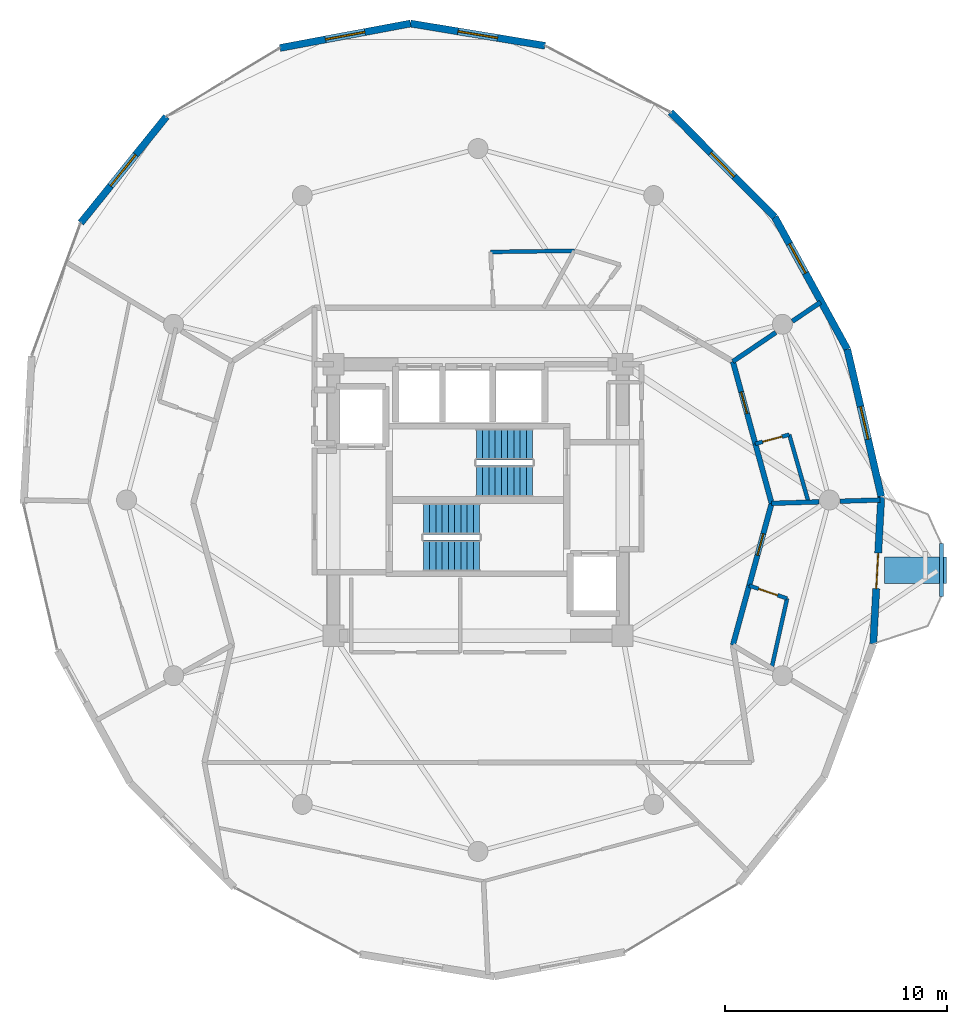
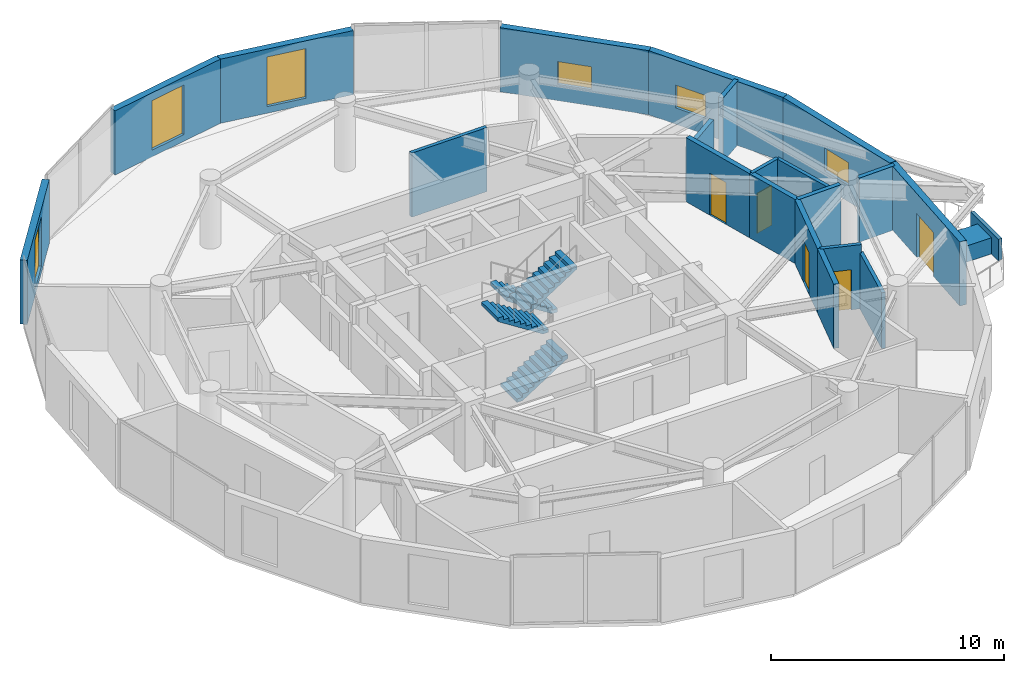
# One storey, part 19 of 21: 21 walls, 6 windows, 5 doors, 4 stair flights, 1 discrete accessory, 11 openings, 2 elements without a shape of their own.
"""IFC4 building model written with IfcOpenShell, lengths in metres."""

from ifc_helpers import new_model, si_unit, direction, frame, frame_2d, origin, origin_2d, place, context, subcontext, project, spatial, polyline, rectangle, outline, extrude, material, layer, layer_set, type_object, element, fill, aggregate, save


model = new_model("IFC4")

# Units and contexts
model_context = context("Model", 3, precision=1e-05, world=origin(), true_north=direction((0.0, 1.0)))
body_context = subcontext(model_context, "Body", "Model", "MODEL_VIEW")
ifc_project = project(units=[si_unit("LENGTHUNIT", "METRE"), si_unit("AREAUNIT", "SQUARE_METRE"), si_unit("VOLUMEUNIT", "CUBIC_METRE"), si_unit("PLANEANGLEUNIT", "RADIAN"), si_unit("MASSUNIT", "GRAM", prefix="KILO")], contexts=[model_context])

# Site, building, storey
site_placement = place(None, origin())
site = spatial("IfcSite", under=ifc_project, at=site_placement, CompositionType="ELEMENT")
building_placement = place(site_placement, origin())
building = spatial("IfcBuilding", under=site, at=building_placement, Name="Solvirekh Grand Hotel", CompositionType="ELEMENT")
storey_placement = place(building_placement, frame((0.0, 0.0, 216.39990234375)))
storey = spatial("IfcBuildingStorey", under=building, at=storey_placement, Name="L56", CompositionType="ELEMENT", Elevation=216.39990234375)

# Wall, opening, door
ifc_material_1 = material(Name="Precast concrete C45/55", Category="concrete")
ifc_layer_1 = layer(ifc_material_1, 0.320068359375)
ifc_layer_set_1 = layer_set([ifc_layer_1], Name="Precast concrete C45/55")
wall_type_1 = type_object("IfcWallType", Name="ExtLobbyWall_RC320", PredefinedType="SOLIDWALL", material=ifc_layer_set_1)
wall_1_placement = place(storey_placement, frame((18.12890625, 0.160888671875, 0.0), z_axis=(0.0, 0.0, 1.0), x_axis=(-0.054369799723, -0.998520868524, 0.0)))
wall_1 = element("IfcWall", 1, at=wall_1_placement, inside=storey, type_object=wall_type_1, Name="L56 exterior structural wall chord 4", PredefinedType="SOLIDWALL", context=body_context, shape_type="SweptSolid", body=[
    extrude(rectangle(XDim=6.63671875, YDim=0.320068359375, at=frame_2d((3.318359375, 0.0))), origin(), (0.0, 0.0, 1.0), 3.360107421875),
])
opening_1_placement = place(wall_1_placement, frame((2.550048828125, 0.0, 0.0)))
opening_1 = element("IfcOpeningElement", 2, at=opening_1_placement, cuts=wall_1, Name="Opening D04", PredefinedType="OPENING", context=body_context, shape_type="SweptSolid", body=[
    extrude(rectangle(XDim=1.60009765625, YDim=2.300048828125, at=frame_2d((0.800048828125, 1.14990234375))), frame((0.0, 0.169921875, 0.0), z_axis=(0.0, -1.0, 0.0), x_axis=(1.0, 0.0, 0.0)), (0.0, 0.0, 1.0), 0.340087890625),
])
ifc_material_2 = material(Name="Anodized Bronze Aluminium 6063-T6", Category="aluminium")
door_type_1 = type_object("IfcDoorType", Name="Door_ExtTerrace_1600X2300", OperationType="NOTDEFINED", PredefinedType="DOOR", material=ifc_material_2)
door_1_placement = place(opening_1_placement, origin())
door_1 = element("IfcDoor", 3, at=door_1_placement, inside=storey, type_object=door_type_1, Name="L56 East horn sky-garden terrace door (4)", OperationType="SINGLE_SWING_RIGHT", OverallHeight=2.300048828125, OverallWidth=1.60009765625, PredefinedType="DOOR", context=body_context, shape_type="SweptSolid", body=[
    extrude(rectangle(XDim=1.60009765625, YDim=2.300048828125, at=frame_2d((0.800048828125, 1.14990234375))), frame((0.0, 0.02490234375, 0.0), z_axis=(0.0, -1.0, 0.0), x_axis=(1.0, 0.0, 0.0)), (0.0, 0.0, 1.0), 0.050048828125),
])
fill(opening_1, door_1)

# Wall, opening, window
wall_2_placement = place(storey_placement, frame((16.60205078125, 6.77197265625, 0.0), z_axis=(0.0, 0.0, 1.0), x_axis=(0.225030315826, -0.974351762434, 0.0)))
wall_2 = element("IfcWall", 4, at=wall_2_placement, inside=storey, type_object=wall_type_1, Name="L56 cantilevered deck support wall chord 5", PredefinedType="SOLIDWALL", context=body_context, shape_type="SweptSolid", body=[
    extrude(rectangle(XDim=6.78515625, YDim=0.320068359375, at=frame_2d((3.392578125, 0.0))), origin(), (0.0, 0.0, 1.0), 3.360107421875),
])
opening_2_placement = place(wall_2_placement, frame((2.64306640625, 0.0, 0.85009765625)))
opening_2 = element("IfcOpeningElement", 5, at=opening_2_placement, cuts=wall_2, Name="Opening W05", PredefinedType="OPENING", context=body_context, shape_type="SweptSolid", body=[
    extrude(rectangle(XDim=1.5, YDim=1.199951171875, at=frame_2d((0.75, 0.60009765625))), frame((0.0, 0.169921875, 0.0), z_axis=(0.0, -1.0, 0.0), x_axis=(1.0, 0.0, 0.0)), (0.0, 0.0, 1.0), 0.340087890625),
])
ifc_material_3 = material(Name="Low-E Tinted Bronze Laminated Glass", Category="aluminium")
window_type_1 = type_object("IfcWindowType", Name="Win_PlantVent_1500X1200", PartitioningType="SINGLE_PANEL", PredefinedType="WINDOW", material=ifc_material_3)
window_1_placement = place(opening_2_placement, origin())
window_1 = element("IfcWindow", 6, at=window_1_placement, inside=storey, type_object=window_type_1, Name="L56 bronze-framed vision ribbon window 5", OverallHeight=1.199951171875, OverallWidth=1.5, PartitioningType="SINGLE_PANEL", PredefinedType="WINDOW", context=body_context, shape_type="SweptSolid", body=[
    extrude(rectangle(XDim=1.5, YDim=1.199951171875, at=frame_2d((0.75, 0.60009765625))), frame((0.0, 0.030029296875, 0.0), z_axis=(0.0, -1.0, 0.0), x_axis=(1.0, 0.0, 0.0)), (0.0, 0.0, 1.0), 0.06005859375),
])
fill(opening_2, window_1)

wall_3_placement = place(storey_placement, frame((13.337890625, 12.719970703125, 0.0), z_axis=(0.0, 0.0, 1.0), x_axis=(0.481099413802, -0.876666044762, 0.0)))
wall_3 = element("IfcWall", 7, at=wall_3_placement, inside=storey, type_object=wall_type_1, Name="L56 cantilevered deck support wall chord 6", PredefinedType="SOLIDWALL", context=body_context, shape_type="SweptSolid", body=[
    extrude(rectangle(XDim=6.784912109375, YDim=0.320068359375, at=frame_2d((3.392578125, 0.0))), origin(), (0.0, 0.0, 1.0), 3.360107421875),
])
opening_3_placement = place(wall_3_placement, frame((1.375, 0.0, 0.85009765625)))
opening_3 = element("IfcOpeningElement", 8, at=opening_3_placement, cuts=wall_3, Name="Opening W05", PredefinedType="OPENING", context=body_context, shape_type="SweptSolid", body=[
    extrude(rectangle(XDim=1.5, YDim=1.199951171875, at=frame_2d((0.75, 0.60009765625))), frame((0.0, 0.169921875, 0.0), z_axis=(0.0, -1.0, 0.0), x_axis=(1.0, 0.0, 0.0)), (0.0, 0.0, 1.0), 0.340087890625),
])
window_2_placement = place(opening_3_placement, origin())
window_2 = element("IfcWindow", 9, at=window_2_placement, inside=storey, type_object=window_type_1, Name="L56 bronze-framed vision ribbon window 6", OverallHeight=1.199951171875, OverallWidth=1.5, PartitioningType="SINGLE_PANEL", PredefinedType="WINDOW", context=body_context, shape_type="SweptSolid", body=[
    extrude(rectangle(XDim=1.5, YDim=1.199951171875, at=frame_2d((0.75, 0.60009765625))), frame((0.0, 0.030029296875, 0.0), z_axis=(0.0, -1.0, 0.0), x_axis=(1.0, 0.0, 0.0)), (0.0, 0.0, 1.0), 0.06005859375),
])
fill(opening_3, window_2)

wall_4_placement = place(storey_placement, frame((8.655029296875, 17.423095703125, 0.0), z_axis=(0.0, 0.0, 1.0), x_axis=(0.705578543979, -0.708631722601, 0.0)))
wall_4 = element("IfcWall", 10, at=wall_4_placement, inside=storey, type_object=wall_type_1, Name="L56 cantilevered deck support wall chord 7", PredefinedType="SOLIDWALL", context=body_context, shape_type="SweptSolid", body=[
    extrude(rectangle(XDim=6.636962890625, YDim=0.320068359375, at=frame_2d((3.318359375, 0.0))), origin(), (0.0, 0.0, 1.0), 3.360107421875),
])
opening_4_placement = place(wall_4_placement, frame((2.568115234375, 0.0, 0.85009765625)))
opening_4 = element("IfcOpeningElement", 11, at=opening_4_placement, cuts=wall_4, Name="Opening W05", PredefinedType="OPENING", context=body_context, shape_type="SweptSolid", body=[
    extrude(rectangle(XDim=1.5, YDim=1.199951171875, at=frame_2d((0.75, 0.60009765625))), frame((0.0, 0.169921875, 0.0), z_axis=(0.0, -1.0, 0.0), x_axis=(1.0, 0.0, 0.0)), (0.0, 0.0, 1.0), 0.340087890625),
])
window_3_placement = place(opening_4_placement, origin())
window_3 = element("IfcWindow", 12, at=window_3_placement, inside=storey, type_object=window_type_1, Name="L56 bronze-framed vision ribbon window 7", OverallHeight=1.199951171875, OverallWidth=1.5, PartitioningType="SINGLE_PANEL", PredefinedType="WINDOW", context=body_context, shape_type="SweptSolid", body=[
    extrude(rectangle(XDim=1.5, YDim=1.199951171875, at=frame_2d((0.75, 0.60009765625))), frame((0.0, 0.030029296875, 0.0), z_axis=(0.0, -1.0, 0.0), x_axis=(1.0, 0.0, 0.0)), (0.0, 0.0, 1.0), 0.06005859375),
])
fill(opening_4, window_3)

wall_5_placement = place(storey_placement, frame((-3.037109375, 21.419921875, 0.0), z_axis=(0.0, 0.0, 1.0), x_axis=(0.986639234259, -0.162920291618, 0.0)))
wall_5 = element("IfcWall", 13, at=wall_5_placement, inside=storey, type_object=wall_type_1, Name="L56 exterior structural wall chord 9", PredefinedType="SOLIDWALL", context=body_context, shape_type="SweptSolid", body=[
    extrude(rectangle(XDim=6.132080078125, YDim=0.320068359375, at=frame_2d((3.06591796875, 0.0))), origin(), (0.0, 0.0, 1.0), 3.360107421875),
])
opening_5_placement = place(wall_5_placement, frame((2.166015625, 0.0, 0.35009765625)))
opening_5 = element("IfcOpeningElement", 14, at=opening_5_placement, cuts=wall_5, Name="Opening W02", PredefinedType="OPENING", context=body_context, shape_type="SweptSolid", body=[
    extrude(rectangle(XDim=1.800048828125, YDim=2.60009765625, at=frame_2d((0.89990234375, 1.300048828125))), frame((0.0, 0.169921875, 0.0), z_axis=(0.0, -1.0, 0.0), x_axis=(1.0, 0.0, 0.0)), (0.0, 0.0, 1.0), 0.340087890625),
])
window_type_2 = type_object("IfcWindowType", Name="Win_LobbyExt_1800X2600", PartitioningType="SINGLE_PANEL", PredefinedType="WINDOW", material=ifc_material_3)
window_4_placement = place(opening_5_placement, origin())
window_4 = element("IfcWindow", 15, at=window_4_placement, inside=storey, type_object=window_type_2, Name="L56 panoramic bronze-framed window 9", OverallHeight=2.60009765625, OverallWidth=1.800048828125, PartitioningType="SINGLE_PANEL", PredefinedType="WINDOW", context=body_context, shape_type="SweptSolid", body=[
    extrude(rectangle(XDim=1.800048828125, YDim=2.60009765625, at=frame_2d((0.89990234375, 1.300048828125))), frame((0.0, 0.030029296875, 0.0), z_axis=(0.0, -1.0, 0.0), x_axis=(1.0, 0.0, 0.0)), (0.0, 0.0, 1.0), 0.06005859375),
])
fill(opening_5, window_4)

wall_6_placement = place(storey_placement, frame((-8.902099609375, 20.322021484375, 0.0), z_axis=(0.0, 0.0, 1.0), x_axis=(0.982926338905, 0.183999489908, 0.0)))
wall_6 = element("IfcWall", 16, at=wall_6_placement, inside=storey, type_object=wall_type_1, Name="L56 exterior structural wall chord 10", PredefinedType="SOLIDWALL", context=body_context, shape_type="SweptSolid", body=[
    extrude(rectangle(XDim=5.966796875, YDim=0.320068359375, at=frame_2d((2.9833984375, 0.0))), origin(), (0.0, 0.0, 1.0), 3.360107421875),
])
opening_6_placement = place(wall_6_placement, frame((2.0830078125, 0.0, 0.35009765625)))
opening_6 = element("IfcOpeningElement", 17, at=opening_6_placement, cuts=wall_6, Name="Opening W02", PredefinedType="OPENING", context=body_context, shape_type="SweptSolid", body=[
    extrude(rectangle(XDim=1.800048828125, YDim=2.60009765625, at=frame_2d((0.89990234375, 1.300048828125))), frame((0.0, 0.169921875, 0.0), z_axis=(0.0, -1.0, 0.0), x_axis=(1.0, 0.0, 0.0)), (0.0, 0.0, 1.0), 0.340087890625),
])
window_5_placement = place(opening_6_placement, origin())
window_5 = element("IfcWindow", 18, at=window_5_placement, inside=storey, type_object=window_type_2, Name="L56 panoramic bronze-framed window 10", OverallHeight=2.60009765625, OverallWidth=1.800048828125, PartitioningType="SINGLE_PANEL", PredefinedType="WINDOW", context=body_context, shape_type="SweptSolid", body=[
    extrude(rectangle(XDim=1.800048828125, YDim=2.60009765625, at=frame_2d((0.89990234375, 1.300048828125))), frame((0.0, 0.030029296875, 0.0), z_axis=(0.0, -1.0, 0.0), x_axis=(1.0, 0.0, 0.0)), (0.0, 0.0, 1.0), 0.06005859375),
])
fill(opening_6, window_5)

wall_7_placement = place(storey_placement, frame((-17.85595703125, 12.4599609375, 0.0), z_axis=(0.0, 0.0, 1.0), x_axis=(0.627550861285, 0.778575568908, 0.0)))
wall_7 = element("IfcWall", 19, at=wall_7_placement, inside=storey, type_object=wall_type_1, Name="L56 exterior structural wall chord 12", PredefinedType="SOLIDWALL", context=body_context, shape_type="SweptSolid", body=[
    extrude(rectangle(XDim=6.131591796875, YDim=0.320068359375, at=frame_2d((3.06591796875, 0.0))), origin(), (0.0, 0.0, 1.0), 3.360107421875),
])
opening_7_placement = place(wall_7_placement, frame((2.131103515625, 0.0, 0.35009765625)))
opening_7 = element("IfcOpeningElement", 20, at=opening_7_placement, cuts=wall_7, Name="Opening W02", PredefinedType="OPENING", context=body_context, shape_type="SweptSolid", body=[
    extrude(rectangle(XDim=1.800048828125, YDim=2.60009765625, at=frame_2d((0.89990234375, 1.300048828125))), frame((0.0, 0.169921875, 0.0), z_axis=(0.0, -1.0, 0.0), x_axis=(1.0, 0.0, 0.0)), (0.0, 0.0, 1.0), 0.340087890625),
])
window_6_placement = place(opening_7_placement, origin())
window_6 = element("IfcWindow", 21, at=window_6_placement, inside=storey, type_object=window_type_2, Name="L56 panoramic bronze-framed window 12", OverallHeight=2.60009765625, OverallWidth=1.800048828125, PartitioningType="SINGLE_PANEL", PredefinedType="WINDOW", context=body_context, shape_type="SweptSolid", body=[
    extrude(rectangle(XDim=1.800048828125, YDim=2.60009765625, at=frame_2d((0.89990234375, 1.300048828125))), frame((0.0, 0.030029296875, 0.0), z_axis=(0.0, -1.0, 0.0), x_axis=(1.0, 0.0, 0.0)), (0.0, 0.0, 1.0), 0.06005859375),
])
fill(opening_7, window_6)

# Walls
ifc_layer_2 = layer(ifc_material_1, 0.179931640625)
ifc_layer_set_2 = layer_set([ifc_layer_2], Name="Precast concrete C45/55")
wall_type_2 = type_object("IfcWallType", Name="ExtPlanterWall_180", PredefinedType="PARAPET", material=ifc_layer_set_2)
wall_8_placement = place(storey_placement, frame((20.8291015625, -4.344970703125, 0.0), z_axis=(0.0, 0.0, 1.0), x_axis=(0.0, 1.0, 0.0)))
element("IfcWall", 22, at=wall_8_placement, inside=storey, type_object=wall_type_2, Name="L56 horn sky-garden planter parapet", PredefinedType="PARAPET", context=body_context, shape_type="SweptSolid", body=[
    extrude(rectangle(XDim=2.385009765625, YDim=0.179931640625, at=frame_2d((1.1923828125, 0.0))), origin(), (0.0, 0.0, 1.0), 1.1201171875),
])
ifc_material_4 = material(Name="Acoustic Gypsum Partition Assembly")
ifc_layer_3 = layer(ifc_material_4, 0.239990234375)
ifc_layer_set_3 = layer_set([ifc_layer_3], Name="Acoustic Gypsum Partition Assembly")
wall_type_3 = type_object("IfcWallType", Name="Part_Corridor_240", PredefinedType="PARTITIONING", material=ifc_layer_set_3)
wall_9_placement = place(storey_placement, frame((11.4580078125, -6.52490234375, 0.0), z_axis=(0.0, 0.0, 1.0), x_axis=(0.263735174528, 0.964595126318, 0.0)))
element("IfcWall", 23, at=wall_9_placement, inside=storey, type_object=wall_type_3, Name="L56 En-suite Bathroom 5804 corridor backing wall", PredefinedType="PARTITIONING", context=body_context, shape_type="SweptSolid", body=[
    extrude(rectangle(XDim=2.775146484375, YDim=0.239990234375, at=frame_2d((1.3876953125, 0.0))), origin(), (0.0, 0.0, 1.0), 3.360107421875),
])

# Wall, opening, door
wall_10_placement = place(storey_placement, frame((12.18994140625, -3.847900390625, 0.0), z_axis=(0.0, 0.0, 1.0), x_axis=(0.263473055226, 0.964666755502, 0.0)))
wall_10 = element("IfcWall", 24, at=wall_10_placement, inside=storey, type_object=wall_type_3, Name="L56 Deluxe Guestroom 5804 entrance wall", PredefinedType="PARTITIONING", context=body_context, shape_type="SweptSolid", body=[
    extrude(rectangle(XDim=3.83349609375, YDim=0.239990234375, at=frame_2d((1.916748046875, 0.0))), origin(), (0.0, 0.0, 1.0), 3.360107421875),
])
opening_8_placement = place(wall_10_placement, frame((1.4169921875, 0.0, 0.0)))
opening_8 = element("IfcOpeningElement", 25, at=opening_8_placement, cuts=wall_10, Name="Opening D07", PredefinedType="OPENING", context=body_context, shape_type="SweptSolid", body=[
    extrude(rectangle(XDim=1.0, YDim=2.199951171875, at=frame_2d((0.5, 1.10009765625))), frame((0.0, 0.1298828125, 0.0), z_axis=(0.0, -1.0, 0.0), x_axis=(1.0, 0.0, 0.0)), (0.0, 0.0, 1.0), 0.260009765625),
])
ifc_material_5 = material(Name="Fire-Rated Steel Door Assembly", Category="steel")
door_type_2 = type_object("IfcDoorType", Name="Door_GuestEntry_1000X2200", OperationType="NOTDEFINED", PredefinedType="DOOR", material=ifc_material_5)
door_2_placement = place(opening_8_placement, origin())
door_2 = element("IfcDoor", 26, at=door_2_placement, inside=storey, type_object=door_type_2, Name="L56 Deluxe Guestroom 5804 entrance door", OperationType="SINGLE_SWING_RIGHT", OverallHeight=2.199951171875, OverallWidth=1.0, PredefinedType="DOOR", context=body_context, shape_type="SweptSolid", body=[
    extrude(rectangle(XDim=1.0, YDim=2.199951171875, at=frame_2d((0.5, 1.10009765625))), frame((0.0, 0.02490234375, 0.0), z_axis=(0.0, -1.0, 0.0), x_axis=(1.0, 0.0, 0.0)), (0.0, 0.0, 1.0), 0.050048828125),
])
fill(opening_8, door_2)

# Wall
wall_11_placement = place(storey_placement, frame((13.199951171875, -0.14990234375, 0.0), z_axis=(0.0, 0.0, 1.0), x_axis=(-0.263735174528, 0.964595126318, 0.0)))
element("IfcWall", 27, at=wall_11_placement, inside=storey, type_object=wall_type_3, Name="L56 En-suite Bathroom 5805 corridor backing wall", PredefinedType="PARTITIONING", context=body_context, shape_type="SweptSolid", body=[
    extrude(rectangle(XDim=2.775146484375, YDim=0.239990234375, at=frame_2d((1.3876953125, 0.0))), origin(), (0.0, 0.0, 1.0), 3.360107421875),
])

# Wall, opening, door
wall_12_placement = place(storey_placement, frame((12.468017578125, 2.527099609375, 0.0), z_axis=(0.0, 0.0, 1.0), x_axis=(-0.263473055226, 0.964666755502, 0.0)))
wall_12 = element("IfcWall", 28, at=wall_12_placement, inside=storey, type_object=wall_type_3, Name="L56 Deluxe Guestroom 5805 entrance wall", PredefinedType="PARTITIONING", context=body_context, shape_type="SweptSolid", body=[
    extrude(rectangle(XDim=3.83349609375, YDim=0.239990234375, at=frame_2d((1.916748046875, 0.0))), origin(), (0.0, 0.0, 1.0), 3.360107421875),
])
opening_9_placement = place(wall_12_placement, frame((1.4169921875, 0.0, 0.0)))
opening_9 = element("IfcOpeningElement", 29, at=opening_9_placement, cuts=wall_12, Name="Opening D07", PredefinedType="OPENING", context=body_context, shape_type="SweptSolid", body=[
    extrude(rectangle(XDim=1.0, YDim=2.199951171875, at=frame_2d((0.5, 1.10009765625))), frame((0.0, 0.1298828125, 0.0), z_axis=(0.0, -1.0, 0.0), x_axis=(1.0, 0.0, 0.0)), (0.0, 0.0, 1.0), 0.260009765625),
])
door_3_placement = place(opening_9_placement, origin())
door_3 = element("IfcDoor", 30, at=door_3_placement, inside=storey, type_object=door_type_2, Name="L56 Deluxe Guestroom 5805 entrance door", OperationType="SINGLE_SWING_RIGHT", OverallHeight=2.199951171875, OverallWidth=1.0, PredefinedType="DOOR", context=body_context, shape_type="SweptSolid", body=[
    extrude(rectangle(XDim=1.0, YDim=2.199951171875, at=frame_2d((0.5, 1.10009765625))), frame((0.0, 0.02490234375, 0.0), z_axis=(0.0, -1.0, 0.0), x_axis=(1.0, 0.0, 0.0)), (0.0, 0.0, 1.0), 0.050048828125),
])
fill(opening_9, door_3)

# Walls
ifc_layer_4 = layer(ifc_material_4, 0.2099609375)
ifc_layer_set_4 = layer_set([ifc_layer_4], Name="Acoustic Gypsum Partition Assembly")
wall_type_4 = type_object("IfcWallType", Name="Part_SuiteDemise_210", PredefinedType="PARTITIONING", material=ifc_layer_set_4)
wall_13_placement = place(storey_placement, frame((13.199951171875, -0.14990234375, 0.0), z_axis=(0.0, 0.0, 1.0), x_axis=(0.999525017811, 0.030817831998, 0.0)))
element("IfcWall", 31, at=wall_13_placement, inside=storey, type_object=wall_type_4, Name="L56 suite radial wall 1 (A)", PredefinedType="PARTITIONING", context=body_context, shape_type="SweptSolid", body=[
    extrude(rectangle(XDim=2.138916015625, YDim=0.2099609375, at=frame_2d((1.0693359375, 0.0))), origin(), (0.0, 0.0, 1.0), 3.360107421875),
])
wall_14_placement = place(storey_placement, frame((16.26708984375, -0.055908203125, 0.0), z_axis=(0.0, 0.0, 1.0), x_axis=(0.999524860138, 0.030822945458, 0.0)))
element("IfcWall", 32, at=wall_14_placement, inside=storey, type_object=wall_type_4, Name="L56 suite radial wall 1 (B)", PredefinedType="PARTITIONING", context=body_context, shape_type="SweptSolid", body=[
    extrude(rectangle(XDim=1.81396484375, YDim=0.2099609375, at=frame_2d((0.906982421875, 0.0))), origin(), (0.0, 0.0, 1.0), 3.360107421875),
])
wall_15_placement = place(storey_placement, frame((11.4580078125, 6.22509765625, 0.0), z_axis=(0.0, 0.0, 1.0), x_axis=(0.828279126782, 0.560315703989, 0.0)))
element("IfcWall", 33, at=wall_15_placement, inside=storey, type_object=wall_type_4, Name="L56 suite radial wall 2 (A)", PredefinedType="PARTITIONING", context=body_context, shape_type="SweptSolid", body=[
    extrude(rectangle(XDim=2.33251953125, YDim=0.2099609375, at=frame_2d((1.166259765625, 0.0))), origin(), (0.0, 0.0, 1.0), 2.801025390625),
])
wall_16_placement = place(storey_placement, frame((14.133056640625, 8.034912109375, 0.0), z_axis=(0.0, 0.0, 1.0), x_axis=(0.828482449309, 0.560015027643, 0.0)))
element("IfcWall", 34, at=wall_16_placement, inside=storey, type_object=wall_type_4, Name="L56 suite radial wall 2 (B)", PredefinedType="PARTITIONING", context=body_context, shape_type="SweptSolid", body=[
    extrude(rectangle(XDim=1.523193359375, YDim=0.2099609375, at=frame_2d((0.76171875, 0.0))), origin(), (0.0, 0.0, 1.0), 3.360107421875),
])
ifc_layer_5 = layer(ifc_material_4, 0.175048828125)
ifc_layer_set_5 = layer_set([ifc_layer_5], Name="Acoustic Gypsum Partition Assembly")
wall_type_5 = type_object("IfcWallType", Name="Plumb_Ensuite_175", PredefinedType="PLUMBINGWALL", material=ifc_layer_set_5)
wall_17_placement = place(storey_placement, frame((0.570068359375, 11.14990234375, 0.0), z_axis=(0.0, 0.0, 1.0), x_axis=(0.999896232957, 0.014405669655, 0.0)))
element("IfcWall", 35, at=wall_17_placement, inside=storey, type_object=wall_type_5, Name="L56 En-suite Bathroom 5802 outer plumbing wall", PredefinedType="PLUMBINGWALL", context=body_context, shape_type="SweptSolid", body=[
    extrude(rectangle(XDim=3.762451171875, YDim=0.175048828125, at=frame_2d((1.88134765625, 0.0))), origin(), (0.0, 0.0, 1.0), 3.360107421875),
])
wall_18_placement = place(storey_placement, frame((13.198974609375, -7.56103515625, 0.0), z_axis=(0.0, 0.0, 1.0), x_axis=(0.217389338569, 0.976084973492, 0.0)))
element("IfcWall", 36, at=wall_18_placement, inside=storey, type_object=wall_type_5, Name="L56 En-suite Bathroom 5804 outer plumbing wall", PredefinedType="PLUMBINGWALL", context=body_context, shape_type="SweptSolid", body=[
    extrude(rectangle(XDim=3.2109375, YDim=0.175048828125, at=frame_2d((1.60546875, 0.0))), origin(), (0.0, 0.0, 1.0), 2.92919921875),
])

# Wall, opening, door
wall_19_placement = place(storey_placement, frame((12.18994140625, -3.847900390625, 0.0), z_axis=(0.0, 0.0, 1.0), x_axis=(0.946990473628, -0.321261642369, 0.0)))
wall_19 = element("IfcWall", 37, at=wall_19_placement, inside=storey, type_object=wall_type_5, Name="L56 En-suite Bathroom 5804 entry plumbing wall", PredefinedType="PLUMBINGWALL", context=body_context, shape_type="SweptSolid", body=[
    extrude(rectangle(XDim=1.802490234375, YDim=0.175048828125, at=frame_2d((0.9013671875, 0.0))), origin(), (0.0, 0.0, 1.0), 3.360107421875),
])
opening_10_placement = place(wall_19_placement, frame((0.450927734375, 0.0, 0.0)))
opening_10 = element("IfcOpeningElement", 38, at=opening_10_placement, cuts=wall_19, Name="Opening D09", PredefinedType="OPENING", context=body_context, shape_type="SweptSolid", body=[
    extrude(rectangle(XDim=0.89990234375, YDim=2.10009765625, at=frame_2d((0.449951171875, 1.050048828125))), frame((0.0, 0.09765625, 0.0), z_axis=(0.0, -1.0, 0.0), x_axis=(1.0, 0.0, 0.0)), (0.0, 0.0, 1.0), 0.195068359375),
])
door_type_3 = type_object("IfcDoorType", Name="Door_Ensuite_900X2100", OperationType="NOTDEFINED", PredefinedType="DOOR", material=ifc_material_2)
door_4_placement = place(opening_10_placement, origin())
door_4 = element("IfcDoor", 39, at=door_4_placement, inside=storey, type_object=door_type_3, Name="L56 En-suite Bathroom 5804 door", OperationType="SINGLE_SWING_LEFT", OverallHeight=2.10009765625, OverallWidth=0.89990234375, PredefinedType="DOOR", context=body_context, shape_type="SweptSolid", body=[
    extrude(rectangle(XDim=0.89990234375, YDim=2.10009765625, at=frame_2d((0.449951171875, 1.050048828125))), frame((0.0, 0.02490234375, 0.0), z_axis=(0.0, -1.0, 0.0), x_axis=(1.0, 0.0, 0.0)), (0.0, 0.0, 1.0), 0.050048828125),
])
fill(opening_10, door_4)

# Wall
wall_20_placement = place(storey_placement, frame((14.85888671875, -0.09912109375, 0.0), z_axis=(0.0, 0.0, 1.0), x_axis=(-0.274281935333, 0.961649322752, 0.0)))
element("IfcWall", 40, at=wall_20_placement, inside=storey, type_object=wall_type_5, Name="L56 En-suite Bathroom 5805 outer plumbing wall", PredefinedType="PLUMBINGWALL", context=body_context, shape_type="SweptSolid", body=[
    extrude(rectangle(XDim=3.1572265625, YDim=0.175048828125, at=frame_2d((1.57861328125, 0.0))), origin(), (0.0, 0.0, 1.0), 3.360107421875),
])

# Wall, opening, door
wall_21_placement = place(storey_placement, frame((12.468017578125, 2.527099609375, 0.0), z_axis=(0.0, 0.0, 1.0), x_axis=(0.965717196803, 0.259596409451, 0.0)))
wall_21 = element("IfcWall", 41, at=wall_21_placement, inside=storey, type_object=wall_type_5, Name="L56 En-suite Bathroom 5805 entry plumbing wall", PredefinedType="PLUMBINGWALL", context=body_context, shape_type="SweptSolid", body=[
    extrude(rectangle(XDim=1.5791015625, YDim=0.175048828125, at=frame_2d((0.78955078125, 0.0))), origin(), (0.0, 0.0, 1.0), 3.360107421875),
])
opening_11_placement = place(wall_21_placement, frame((0.340087890625, 0.0, 0.0)))
opening_11 = element("IfcOpeningElement", 42, at=opening_11_placement, cuts=wall_21, Name="Opening D09", PredefinedType="OPENING", context=body_context, shape_type="SweptSolid", body=[
    extrude(rectangle(XDim=0.89990234375, YDim=2.10009765625, at=frame_2d((0.449951171875, 1.050048828125))), frame((0.0, 0.09765625, 0.0), z_axis=(0.0, -1.0, 0.0), x_axis=(1.0, 0.0, 0.0)), (0.0, 0.0, 1.0), 0.195068359375),
])
door_5_placement = place(opening_11_placement, origin())
door_5 = element("IfcDoor", 43, at=door_5_placement, inside=storey, type_object=door_type_3, Name="L56 En-suite Bathroom 5805 door", OperationType="SINGLE_SWING_LEFT", OverallHeight=2.10009765625, OverallWidth=0.89990234375, PredefinedType="DOOR", context=body_context, shape_type="SweptSolid", body=[
    extrude(rectangle(XDim=0.89990234375, YDim=2.10009765625, at=frame_2d((0.449951171875, 1.050048828125))), frame((0.0, 0.02490234375, 0.0), z_axis=(0.0, -1.0, 0.0), x_axis=(1.0, 0.0, 0.0)), (0.0, 0.0, 1.0), 0.050048828125),
])
fill(opening_11, door_5)

# Stair, stair flights
ifc_material_6 = material(Name="Concrete C40/50", Category="concrete")
stair_type = type_object("IfcStairType", Name="Stair_Core_1450", PredefinedType="HALF_TURN_STAIR", material=ifc_material_6)
stair_1_placement = place(storey_placement, origin())
stair_1 = element("IfcStair", 44, at=stair_1_placement, inside=storey, type_object=stair_type, Name="L56 Enclosed exit stair ST-1", PredefinedType="HALF_TURN_STAIR")
stair_flight_type = type_object("IfcStairFlightType", Name="Flight_Core_1450", PredefinedType="STRAIGHT", material=ifc_material_6)
stair_flight_1_placement = place(storey_placement, frame((-2.449951171875, -2.5, 0.0), z_axis=(0.0, 0.0, 1.0), x_axis=(1.0, 0.0, 0.0)))
stair_flight_1 = element("IfcStairFlight", 45, at=stair_flight_1_placement, type_object=stair_flight_type, Name="ST-1 flight 1", NumberOfRisers=10, NumberOfTreads=9, PredefinedType="STRAIGHT", RiserHeight=0.18, TreadLength=0.28, context=body_context, shape_type="SweptSolid", body=[
    extrude(outline(polyline([(0.0, 0.0), (0.0, 0.179931640625), (0.280029296875, 0.179931640625), (0.280029296875, 0.360107421875), (0.56005859375, 0.360107421875), (0.56005859375, 0.5400390625), (0.840087890625, 0.5400390625), (0.840087890625, 0.719970703125), (1.1201171875, 0.719970703125), (1.1201171875, 0.89990234375), (1.39990234375, 0.89990234375), (1.39990234375, 1.080078125), (1.679931640625, 1.080078125), (1.679931640625, 1.260009765625), (1.9599609375, 1.260009765625), (1.9599609375, 1.43994140625), (2.239990234375, 1.43994140625), (2.239990234375, 1.6201171875), (2.52001953125, 1.6201171875), (2.52001953125, 1.800048828125), (2.52001953125, 1.44189453125), (0.277099609375, 0.0), (0.0, 0.0)])), frame((0.0, 0.699951171875, 0.0), z_axis=(0.0, -1.0, 0.0), x_axis=(1.0, 0.0, 0.0)), (0.0, 0.0, 1.0), 1.39990234375),
])
stair_flight_2_placement = place(storey_placement, frame((0.070068359375, -0.85009765625, 1.800048828125), z_axis=(0.0, 0.0, 1.0), x_axis=(-1.0, 0.0, 0.0)))
stair_flight_2 = element("IfcStairFlight", 46, at=stair_flight_2_placement, type_object=stair_flight_type, Name="ST-1 flight 2", NumberOfRisers=10, NumberOfTreads=9, PredefinedType="STRAIGHT", RiserHeight=0.18, TreadLength=0.28, context=body_context, shape_type="SweptSolid", body=[
    extrude(outline(polyline([(0.0, 0.0), (0.0, 0.179931640625), (0.280029296875, 0.179931640625), (0.280029296875, 0.360107421875), (0.56005859375, 0.360107421875), (0.56005859375, 0.5400390625), (0.840087890625, 0.5400390625), (0.840087890625, 0.719970703125), (1.1201171875, 0.719970703125), (1.1201171875, 0.89990234375), (1.39990234375, 0.89990234375), (1.39990234375, 1.080078125), (1.679931640625, 1.080078125), (1.679931640625, 1.260009765625), (1.9599609375, 1.260009765625), (1.9599609375, 1.43994140625), (2.239990234375, 1.43994140625), (2.239990234375, 1.6201171875), (2.52001953125, 1.6201171875), (2.52001953125, 1.800048828125), (2.52001953125, 1.44189453125), (0.277099609375, 0.0), (0.0, 0.0)])), frame((0.0, 0.699951171875, 0.0), z_axis=(0.0, -1.0, 0.0), x_axis=(1.0, 0.0, 0.0)), (0.0, 0.0, 1.0), 1.39990234375),
])
aggregate(stair_1, [stair_flight_1, stair_flight_2])

stair_2_placement = place(storey_placement, origin())
stair_2 = element("IfcStair", 47, at=stair_2_placement, inside=storey, type_object=stair_type, Name="L56 Enclosed exit stair ST-2", PredefinedType="HALF_TURN_STAIR")
stair_flight_3_placement = place(storey_placement, frame((2.449951171875, 2.5, 0.0), z_axis=(0.0, 0.0, 1.0), x_axis=(-1.0, 0.0, 0.0)))
stair_flight_3 = element("IfcStairFlight", 48, at=stair_flight_3_placement, type_object=stair_flight_type, Name="ST-2 flight 1", NumberOfRisers=10, NumberOfTreads=9, PredefinedType="STRAIGHT", RiserHeight=0.18, TreadLength=0.28, context=body_context, shape_type="SweptSolid", body=[
    extrude(outline(polyline([(0.0, 0.0), (0.0, 0.179931640625), (0.280029296875, 0.179931640625), (0.280029296875, 0.360107421875), (0.56005859375, 0.360107421875), (0.56005859375, 0.5400390625), (0.840087890625, 0.5400390625), (0.840087890625, 0.719970703125), (1.1201171875, 0.719970703125), (1.1201171875, 0.89990234375), (1.39990234375, 0.89990234375), (1.39990234375, 1.080078125), (1.679931640625, 1.080078125), (1.679931640625, 1.260009765625), (1.9599609375, 1.260009765625), (1.9599609375, 1.43994140625), (2.239990234375, 1.43994140625), (2.239990234375, 1.6201171875), (2.52001953125, 1.6201171875), (2.52001953125, 1.800048828125), (2.52001953125, 1.44189453125), (0.277099609375, 0.0), (0.0, 0.0)])), frame((0.0, 0.699951171875, 0.0), z_axis=(0.0, -1.0, 0.0), x_axis=(1.0, 0.0, 0.0)), (0.0, 0.0, 1.0), 1.39990234375),
])
stair_flight_4_placement = place(storey_placement, frame((-0.070068359375, 0.85009765625, 1.800048828125), z_axis=(0.0, 0.0, 1.0), x_axis=(1.0, 0.0, 0.0)))
stair_flight_4 = element("IfcStairFlight", 49, at=stair_flight_4_placement, type_object=stair_flight_type, Name="ST-2 flight 2", NumberOfRisers=10, NumberOfTreads=9, PredefinedType="STRAIGHT", RiserHeight=0.18, TreadLength=0.28, context=body_context, shape_type="SweptSolid", body=[
    extrude(outline(polyline([(0.0, 0.0), (0.0, 0.179931640625), (0.280029296875, 0.179931640625), (0.280029296875, 0.360107421875), (0.56005859375, 0.360107421875), (0.56005859375, 0.5400390625), (0.840087890625, 0.5400390625), (0.840087890625, 0.719970703125), (1.1201171875, 0.719970703125), (1.1201171875, 0.89990234375), (1.39990234375, 0.89990234375), (1.39990234375, 1.080078125), (1.679931640625, 1.080078125), (1.679931640625, 1.260009765625), (1.9599609375, 1.260009765625), (1.9599609375, 1.43994140625), (2.239990234375, 1.43994140625), (2.239990234375, 1.6201171875), (2.52001953125, 1.6201171875), (2.52001953125, 1.800048828125), (2.52001953125, 1.44189453125), (0.277099609375, 0.0), (0.0, 0.0)])), frame((0.0, 0.699951171875, 0.0), z_axis=(0.0, -1.0, 0.0), x_axis=(1.0, 0.0, 0.0)), (0.0, 0.0, 1.0), 1.39990234375),
])
aggregate(stair_2, [stair_flight_3, stair_flight_4])

# Discrete accessory
discrete_accessory_type = type_object("IfcDiscreteAccessoryType", Name="Acc_PlanterBox", PredefinedType="USERDEFINED", material=ifc_material_1)
discrete_accessory_placement = place(storey_placement, frame((19.6689453125, -3.152099609375, 0.0), z_axis=(0.0, 0.0, 1.0), x_axis=(0.0, 1.0, 0.0)))
element("IfcDiscreteAccessory", 50, at=discrete_accessory_placement, inside=storey, type_object=discrete_accessory_type, Name="L56 horn sky-garden tree planter", ObjectType="PLANTER", PredefinedType="USERDEFINED", context=body_context, shape_type="SweptSolid", body=[
    extrude(rectangle(XDim=1.199951171875, YDim=2.800048828125, at=origin_2d()), origin(), (0.0, 0.0, 1.0), 0.85009765625),
])

save(model, "model.ifc")
